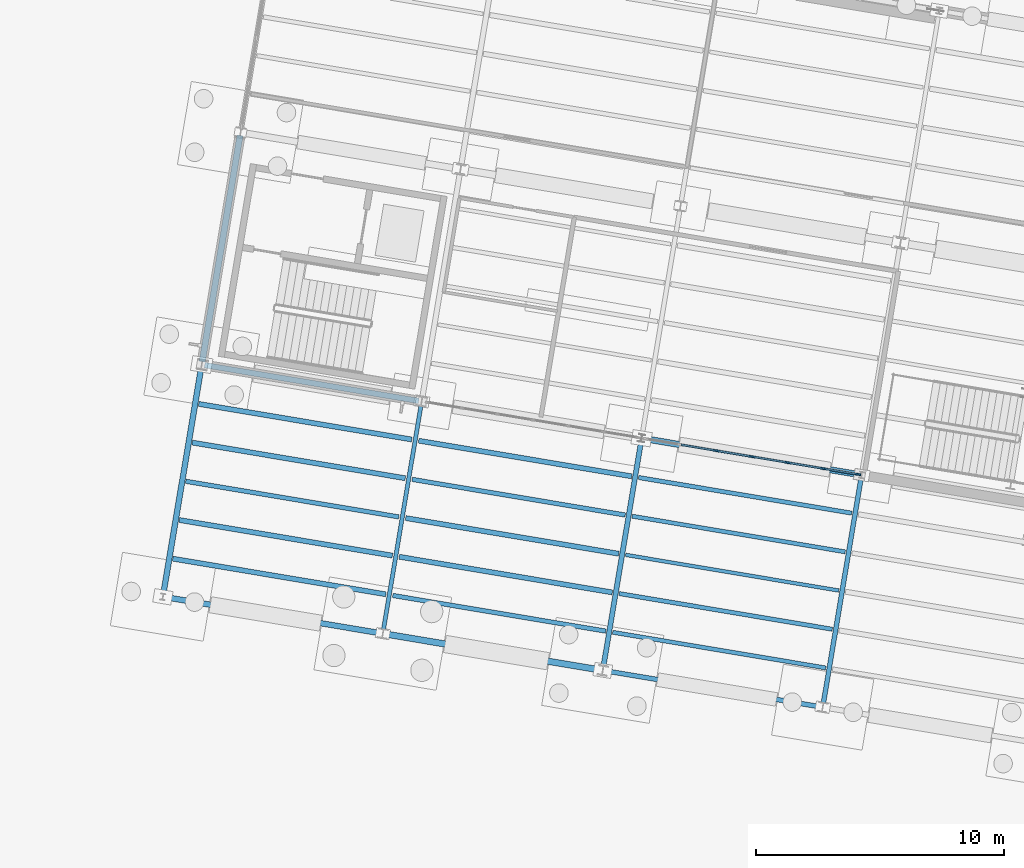
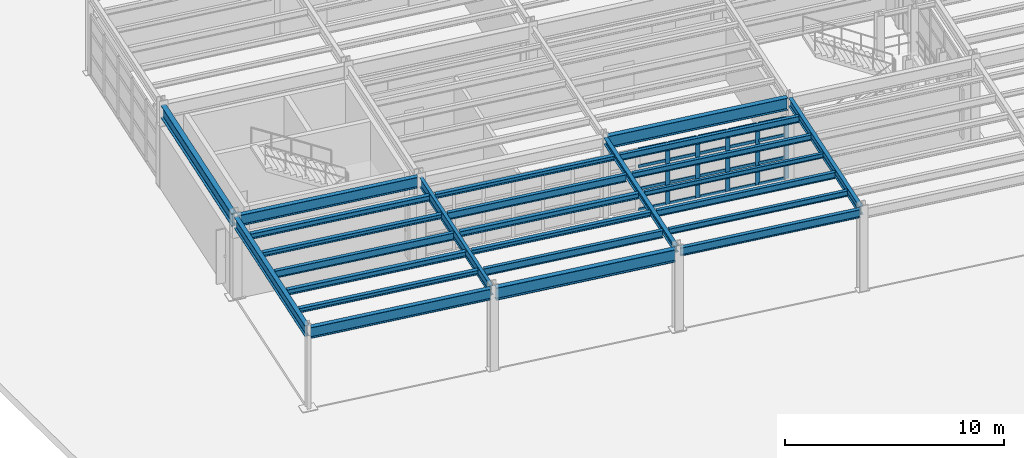
# One storey, part 42 of 108: 25 beams, 25 members, 1 element without a shape of its own.
"""IFC4 building model written with IfcOpenShell, lengths in metres."""

from ifc_helpers import new_model, si_unit, direction, frame, origin, origin_2d, place, context, subcontext, project, spatial, rectangle, i_section, extrude, material, layer, layer_set, material_profile, profile_set, type_object, element, aggregate, save


model = new_model("IFC4")

# Units and contexts
model_context = context("Model", 3, precision=1e-05, world=origin(), true_north=direction((0.0, 1.0)))
body_context = subcontext(model_context, "Body", "Model", "MODEL_VIEW")
ifc_project = project(units=[si_unit("LENGTHUNIT", "METRE"), si_unit("AREAUNIT", "SQUARE_METRE"), si_unit("VOLUMEUNIT", "CUBIC_METRE"), si_unit("PLANEANGLEUNIT", "RADIAN"), si_unit("MASSUNIT", "GRAM", prefix="KILO")], contexts=[model_context])

# Site, building, storey
site_placement = place(None, origin())
site = spatial("IfcSite", under=ifc_project, at=site_placement, CompositionType="ELEMENT")
building_placement = place(site_placement, origin())
building = spatial("IfcBuilding", under=site, at=building_placement, Name="Vireo Bluff Cable Station", CompositionType="ELEMENT")
storey_placement = place(building_placement, origin())
storey = spatial("IfcBuildingStorey", under=building, at=storey_placement, Name="L00", CompositionType="ELEMENT", Elevation=0.0)

# Beams
ifc_material_1 = material(Name="Steel ASTM A992 Gr. 50", Category="steel")
ifc_material_profile_1 = material_profile(ifc_material_1, i_section(OverallWidth=0.2041015625, OverallDepth=0.35009765625, WebThickness=0.008544921875, FlangeThickness=0.01513671875, FilletRadius=0.010009765625, at=origin_2d()), Name="W14X48")
ifc_profile_set_1 = profile_set([ifc_material_profile_1], Name="Steel ASTM A992 Gr. 50")
beam_type_1 = type_object("IfcBeamType", Name="BM-W14X48", PredefinedType="BEAM", material=ifc_profile_set_1)
beam_1_placement = place(storey_placement, frame((23.27294921875, 68.6474609375, 4.364990234375), z_axis=(0.165044536891, 0.986286115102, 0.0), x_axis=(-0.986286115102, 0.165044536891, 0.0)))
element("IfcBeam", 1, at=beam_1_placement, inside=storey, type_object=beam_type_1, Name="V4 L00 beam 792", PredefinedType="BEAM", context=body_context, shape_type="SweptSolid", body=[
    extrude(i_section(OverallWidth=0.2041015625, OverallDepth=0.35009765625, WebThickness=0.008544921875, FlangeThickness=0.01513671875, FilletRadius=0.010009765625, at=origin_2d()), origin(), (0.0, 0.0, 1.0), 9.260009765625),
])
ifc_material_profile_2 = material_profile(ifc_material_1, i_section(OverallWidth=0.19091796875, OverallDepth=0.45703125, WebThickness=0.009033203125, FlangeThickness=0.014404296875, FilletRadius=0.011962890625, at=origin_2d()), Name="W18X50")
ifc_profile_set_2 = profile_set([ifc_material_profile_2], Name="Steel ASTM A992 Gr. 50")
beam_type_2 = type_object("IfcBeamType", Name="BM-W18X50", PredefinedType="BEAM", material=ifc_profile_set_2)
beam_2_placement = place(storey_placement, frame((32.1494140625, 67.162109375, 4.3115234375), z_axis=(0.165070183492, 0.986281823072, 0.0), x_axis=(-0.986281823072, 0.165070183492, 0.0)))
element("IfcBeam", 2, at=beam_2_placement, inside=storey, type_object=beam_type_2, Name="V4 L00 beam 795", PredefinedType="BEAM", context=body_context, shape_type="SweptSolid", body=[
    extrude(i_section(OverallWidth=0.19091796875, OverallDepth=0.45703125, WebThickness=0.009033203125, FlangeThickness=0.014404296875, FilletRadius=0.011962890625, at=origin_2d()), origin(), (0.0, 0.0, 1.0), 9.260009765625),
])
ifc_material_profile_3 = material_profile(ifc_material_1, i_section(OverallWidth=0.166015625, OverallDepth=0.528076171875, WebThickness=0.009765625, FlangeThickness=0.013671875, FilletRadius=0.012939453125, at=origin_2d()), Name="W21X50")
ifc_profile_set_3 = profile_set([ifc_material_profile_3], Name="Steel ASTM A992 Gr. 50")
beam_type_3 = type_object("IfcBeamType", Name="BM-W21X50", PredefinedType="BEAM", material=ifc_profile_set_3)
beam_3_placement = place(storey_placement, frame((14.396484375, 70.1328125, 4.27587890625), z_axis=(0.165044536891, 0.986286115102, 0.0), x_axis=(-0.986286115102, 0.165044536891, 0.0)))
element("IfcBeam", 3, at=beam_3_placement, inside=storey, type_object=beam_type_3, Name="V4 L00 beam 789", PredefinedType="BEAM", context=body_context, shape_type="SweptSolid", body=[
    extrude(i_section(OverallWidth=0.166015625, OverallDepth=0.528076171875, WebThickness=0.009765625, FlangeThickness=0.013671875, FilletRadius=0.012939453125, at=origin_2d()), origin(), (0.0, 0.0, 1.0), 9.260009765625),
])

# Curtain wall, members
ifc_material_2 = material(Name="Anodized Aluminium 6063-T6", Category="aluminium")
ifc_layer = layer(ifc_material_2, 0.179931640625, Name="Anodized Aluminium 6063-T6")
ifc_layer_set = layer_set([ifc_layer], Name="Anodized Aluminium 6063-T6")
curtain_wall_type = type_object("IfcCurtainWallType", Name="CW-UNIT-1400", PredefinedType="USERDEFINED", material=ifc_layer_set)
curtain_wall_placement = place(storey_placement, origin())
curtain_wall = element("IfcCurtainWall", 4, at=curtain_wall_placement, inside=storey, type_object=curtain_wall_type, Name="V4 L00 south curtain wall CW-081", ObjectType="UNITISED CURTAIN WALL", PredefinedType="USERDEFINED")
ifc_material_profile_4 = material_profile(ifc_material_2, rectangle(XDim=0.074951171875, YDim=0.2099609375, at=origin_2d()), Name="ALU-M-75X210")
ifc_profile_set_4 = profile_set([ifc_material_profile_4], Name="Anodized Aluminium 6063-T6")
member_type_1 = type_object("IfcMemberType", Name="CWM-02", PredefinedType="MULLION", material=ifc_profile_set_4)
member_1_placement = place(storey_placement, frame((33.55810546875, 76.436767578125, 0.0), z_axis=(0.0, 0.0, 1.0), x_axis=(-0.165047563411, -0.986285608641, 0.0)))
member_1 = element("IfcMember", 5, at=member_1_placement, type_object=member_type_1, Name="CW-081 mullion 1", PredefinedType="MULLION", context=body_context, shape_type="SweptSolid", body=[
    extrude(rectangle(XDim=0.074951171875, YDim=0.2099609375, at=origin_2d()), origin(), (0.0, 0.0, 1.0), 3.39990234375),
])
member_2_placement = place(storey_placement, frame((32.154052734375, 76.671875, 0.0), z_axis=(0.0, 0.0, 1.0), x_axis=(-0.165047563411, -0.986285608641, 0.0)))
member_2 = element("IfcMember", 6, at=member_2_placement, type_object=member_type_1, Name="CW-081 mullion 2", PredefinedType="MULLION", context=body_context, shape_type="SweptSolid", body=[
    extrude(rectangle(XDim=0.074951171875, YDim=0.2099609375, at=origin_2d()), origin(), (0.0, 0.0, 1.0), 3.39990234375),
])
member_3_placement = place(storey_placement, frame((30.712890625, 76.912841796875, 0.0), z_axis=(0.0, 0.0, 1.0), x_axis=(-0.165047563411, -0.986285608641, 0.0)))
member_3 = element("IfcMember", 7, at=member_3_placement, type_object=member_type_1, Name="CW-081 mullion 3", PredefinedType="MULLION", context=body_context, shape_type="SweptSolid", body=[
    extrude(rectangle(XDim=0.074951171875, YDim=0.2099609375, at=origin_2d()), origin(), (0.0, 0.0, 1.0), 3.39990234375),
])
member_4_placement = place(storey_placement, frame((29.271728515625, 77.154052734375, 0.0), z_axis=(0.0, 0.0, 1.0), x_axis=(-0.165047563411, -0.986285608641, 0.0)))
member_4 = element("IfcMember", 8, at=member_4_placement, type_object=member_type_1, Name="CW-081 mullion 4", PredefinedType="MULLION", context=body_context, shape_type="SweptSolid", body=[
    extrude(rectangle(XDim=0.074951171875, YDim=0.2099609375, at=origin_2d()), origin(), (0.0, 0.0, 1.0), 3.39990234375),
])
member_5_placement = place(storey_placement, frame((27.83056640625, 77.395263671875, 0.0), z_axis=(0.0, 0.0, 1.0), x_axis=(-0.165047563411, -0.986285608641, 0.0)))
member_5 = element("IfcMember", 9, at=member_5_placement, type_object=member_type_1, Name="CW-081 mullion 5", PredefinedType="MULLION", context=body_context, shape_type="SweptSolid", body=[
    extrude(rectangle(XDim=0.074951171875, YDim=0.2099609375, at=origin_2d()), origin(), (0.0, 0.0, 1.0), 3.39990234375),
])
ifc_material_profile_5 = material_profile(ifc_material_2, rectangle(XDim=0.074951171875, YDim=0.159912109375, at=origin_2d()), Name="ALU-T-75X160")
ifc_profile_set_5 = profile_set([ifc_material_profile_5], Name="Anodized Aluminium 6063-T6")
member_type_2 = type_object("IfcMemberType", Name="CWT-02", PredefinedType="USERDEFINED", material=ifc_profile_set_5)
member_6_placement = place(storey_placement, frame((33.521240234375, 76.44287109375, 0.03759765625), z_axis=(-0.986281177913, 0.165074038219, 0.0), x_axis=(-0.165074038219, -0.986281177913, 0.0)))
member_6 = element("IfcMember", 10, at=member_6_placement, type_object=member_type_2, Name="CW-081 transom 1.1", ObjectType="TRANSOM", PredefinedType="USERDEFINED", context=body_context, shape_type="SweptSolid", body=[
    extrude(rectangle(XDim=0.074951171875, YDim=0.159912109375, at=origin_2d()), origin(), (0.0, 0.0, 1.0), 1.348876953125),
])
member_7_placement = place(storey_placement, frame((33.521240234375, 76.44287109375, 1.18994140625), z_axis=(-0.986281177913, 0.165074038219, 0.0), x_axis=(-0.165074038219, -0.986281177913, 0.0)))
member_7 = element("IfcMember", 11, at=member_7_placement, type_object=member_type_2, Name="CW-081 transom 1.2", ObjectType="TRANSOM", PredefinedType="USERDEFINED", context=body_context, shape_type="SweptSolid", body=[
    extrude(rectangle(XDim=0.074951171875, YDim=0.159912109375, at=origin_2d()), origin(), (0.0, 0.0, 1.0), 1.348876953125),
])
member_8_placement = place(storey_placement, frame((33.521240234375, 76.44287109375, 2.447998046875), z_axis=(-0.986281177913, 0.165074038219, 0.0), x_axis=(-0.165074038219, -0.986281177913, 0.0)))
member_8 = element("IfcMember", 12, at=member_8_placement, type_object=member_type_2, Name="CW-081 transom 1.3", ObjectType="TRANSOM", PredefinedType="USERDEFINED", context=body_context, shape_type="SweptSolid", body=[
    extrude(rectangle(XDim=0.074951171875, YDim=0.159912109375, at=origin_2d()), origin(), (0.0, 0.0, 1.0), 1.348876953125),
])
member_9_placement = place(storey_placement, frame((33.521240234375, 76.44287109375, 3.362548828125), z_axis=(-0.986281177913, 0.165074038219, 0.0), x_axis=(-0.165074038219, -0.986281177913, 0.0)))
member_9 = element("IfcMember", 13, at=member_9_placement, type_object=member_type_2, Name="CW-081 transom 1.4", ObjectType="TRANSOM", PredefinedType="USERDEFINED", context=body_context, shape_type="SweptSolid", body=[
    extrude(rectangle(XDim=0.074951171875, YDim=0.159912109375, at=origin_2d()), origin(), (0.0, 0.0, 1.0), 1.348876953125),
])
member_10_placement = place(storey_placement, frame((32.116943359375, 76.677978515625, 0.03759765625), z_axis=(-0.986289001904, 0.165027284783, 0.0), x_axis=(-0.165027284783, -0.986289001904, 0.0)))
member_10 = element("IfcMember", 14, at=member_10_placement, type_object=member_type_2, Name="CW-081 transom 2.1", ObjectType="TRANSOM", PredefinedType="USERDEFINED", context=body_context, shape_type="SweptSolid", body=[
    extrude(rectangle(XDim=0.074951171875, YDim=0.159912109375, at=origin_2d()), origin(), (0.0, 0.0, 1.0), 1.38623046875),
])
member_11_placement = place(storey_placement, frame((32.116943359375, 76.677978515625, 1.18994140625), z_axis=(-0.986289001904, 0.165027284783, 0.0), x_axis=(-0.165027284783, -0.986289001904, 0.0)))
member_11 = element("IfcMember", 15, at=member_11_placement, type_object=member_type_2, Name="CW-081 transom 2.2", ObjectType="TRANSOM", PredefinedType="USERDEFINED", context=body_context, shape_type="SweptSolid", body=[
    extrude(rectangle(XDim=0.074951171875, YDim=0.159912109375, at=origin_2d()), origin(), (0.0, 0.0, 1.0), 1.38623046875),
])
member_12_placement = place(storey_placement, frame((32.116943359375, 76.677978515625, 2.447998046875), z_axis=(-0.986289001904, 0.165027284783, 0.0), x_axis=(-0.165027284783, -0.986289001904, 0.0)))
member_12 = element("IfcMember", 16, at=member_12_placement, type_object=member_type_2, Name="CW-081 transom 2.3", ObjectType="TRANSOM", PredefinedType="USERDEFINED", context=body_context, shape_type="SweptSolid", body=[
    extrude(rectangle(XDim=0.074951171875, YDim=0.159912109375, at=origin_2d()), origin(), (0.0, 0.0, 1.0), 1.38623046875),
])
member_13_placement = place(storey_placement, frame((32.116943359375, 76.677978515625, 3.362548828125), z_axis=(-0.986289001904, 0.165027284783, 0.0), x_axis=(-0.165027284783, -0.986289001904, 0.0)))
member_13 = element("IfcMember", 17, at=member_13_placement, type_object=member_type_2, Name="CW-081 transom 2.4", ObjectType="TRANSOM", PredefinedType="USERDEFINED", context=body_context, shape_type="SweptSolid", body=[
    extrude(rectangle(XDim=0.074951171875, YDim=0.159912109375, at=origin_2d()), origin(), (0.0, 0.0, 1.0), 1.38623046875),
])
member_14_placement = place(storey_placement, frame((30.67578125, 76.919189453125, 0.03759765625), z_axis=(-0.986289001904, 0.165027284783, 0.0), x_axis=(-0.165027284783, -0.986289001904, 0.0)))
member_14 = element("IfcMember", 18, at=member_14_placement, type_object=member_type_2, Name="CW-081 transom 3.1", ObjectType="TRANSOM", PredefinedType="USERDEFINED", context=body_context, shape_type="SweptSolid", body=[
    extrude(rectangle(XDim=0.074951171875, YDim=0.159912109375, at=origin_2d()), origin(), (0.0, 0.0, 1.0), 1.38623046875),
])
member_15_placement = place(storey_placement, frame((30.67578125, 76.919189453125, 1.18994140625), z_axis=(-0.986289001904, 0.165027284783, 0.0), x_axis=(-0.165027284783, -0.986289001904, 0.0)))
member_15 = element("IfcMember", 19, at=member_15_placement, type_object=member_type_2, Name="CW-081 transom 3.2", ObjectType="TRANSOM", PredefinedType="USERDEFINED", context=body_context, shape_type="SweptSolid", body=[
    extrude(rectangle(XDim=0.074951171875, YDim=0.159912109375, at=origin_2d()), origin(), (0.0, 0.0, 1.0), 1.38623046875),
])
member_16_placement = place(storey_placement, frame((30.67578125, 76.919189453125, 2.447998046875), z_axis=(-0.986289001904, 0.165027284783, 0.0), x_axis=(-0.165027284783, -0.986289001904, 0.0)))
member_16 = element("IfcMember", 20, at=member_16_placement, type_object=member_type_2, Name="CW-081 transom 3.3", ObjectType="TRANSOM", PredefinedType="USERDEFINED", context=body_context, shape_type="SweptSolid", body=[
    extrude(rectangle(XDim=0.074951171875, YDim=0.159912109375, at=origin_2d()), origin(), (0.0, 0.0, 1.0), 1.38623046875),
])
member_17_placement = place(storey_placement, frame((30.67578125, 76.919189453125, 3.362548828125), z_axis=(-0.986289001904, 0.165027284783, 0.0), x_axis=(-0.165027284783, -0.986289001904, 0.0)))
member_17 = element("IfcMember", 21, at=member_17_placement, type_object=member_type_2, Name="CW-081 transom 3.4", ObjectType="TRANSOM", PredefinedType="USERDEFINED", context=body_context, shape_type="SweptSolid", body=[
    extrude(rectangle(XDim=0.074951171875, YDim=0.159912109375, at=origin_2d()), origin(), (0.0, 0.0, 1.0), 1.38623046875),
])
member_18_placement = place(storey_placement, frame((29.234619140625, 77.16015625, 0.03759765625), z_axis=(-0.986255513651, 0.165227303412, 0.0), x_axis=(-0.165227303412, -0.986255513651, 0.0)))
member_18 = element("IfcMember", 22, at=member_18_placement, type_object=member_type_2, Name="CW-081 transom 4.1", ObjectType="TRANSOM", PredefinedType="USERDEFINED", context=body_context, shape_type="SweptSolid", body=[
    extrude(rectangle(XDim=0.074951171875, YDim=0.159912109375, at=origin_2d()), origin(), (0.0, 0.0, 1.0), 1.385986328125),
])
member_19_placement = place(storey_placement, frame((29.234619140625, 77.16015625, 1.18994140625), z_axis=(-0.986255513651, 0.165227303412, 0.0), x_axis=(-0.165227303412, -0.986255513651, 0.0)))
member_19 = element("IfcMember", 23, at=member_19_placement, type_object=member_type_2, Name="CW-081 transom 4.2", ObjectType="TRANSOM", PredefinedType="USERDEFINED", context=body_context, shape_type="SweptSolid", body=[
    extrude(rectangle(XDim=0.074951171875, YDim=0.159912109375, at=origin_2d()), origin(), (0.0, 0.0, 1.0), 1.385986328125),
])
member_20_placement = place(storey_placement, frame((29.234619140625, 77.16015625, 2.447998046875), z_axis=(-0.986255513651, 0.165227303412, 0.0), x_axis=(-0.165227303412, -0.986255513651, 0.0)))
member_20 = element("IfcMember", 24, at=member_20_placement, type_object=member_type_2, Name="CW-081 transom 4.3", ObjectType="TRANSOM", PredefinedType="USERDEFINED", context=body_context, shape_type="SweptSolid", body=[
    extrude(rectangle(XDim=0.074951171875, YDim=0.159912109375, at=origin_2d()), origin(), (0.0, 0.0, 1.0), 1.385986328125),
])
member_21_placement = place(storey_placement, frame((29.234619140625, 77.16015625, 3.362548828125), z_axis=(-0.986255513651, 0.165227303412, 0.0), x_axis=(-0.165227303412, -0.986255513651, 0.0)))
member_21 = element("IfcMember", 25, at=member_21_placement, type_object=member_type_2, Name="CW-081 transom 4.4", ObjectType="TRANSOM", PredefinedType="USERDEFINED", context=body_context, shape_type="SweptSolid", body=[
    extrude(rectangle(XDim=0.074951171875, YDim=0.159912109375, at=origin_2d()), origin(), (0.0, 0.0, 1.0), 1.385986328125),
])
member_22_placement = place(storey_placement, frame((27.793701171875, 77.4013671875, 0.03759765625), z_axis=(-0.986289001904, 0.165027284783, 0.0), x_axis=(-0.165027284783, -0.986289001904, 0.0)))
member_22 = element("IfcMember", 26, at=member_22_placement, type_object=member_type_2, Name="CW-081 transom 5.1", ObjectType="TRANSOM", PredefinedType="USERDEFINED", context=body_context, shape_type="SweptSolid", body=[
    extrude(rectangle(XDim=0.074951171875, YDim=0.159912109375, at=origin_2d()), origin(), (0.0, 0.0, 1.0), 1.38623046875),
])
member_23_placement = place(storey_placement, frame((27.793701171875, 77.4013671875, 1.18994140625), z_axis=(-0.986289001904, 0.165027284783, 0.0), x_axis=(-0.165027284783, -0.986289001904, 0.0)))
member_23 = element("IfcMember", 27, at=member_23_placement, type_object=member_type_2, Name="CW-081 transom 5.2", ObjectType="TRANSOM", PredefinedType="USERDEFINED", context=body_context, shape_type="SweptSolid", body=[
    extrude(rectangle(XDim=0.074951171875, YDim=0.159912109375, at=origin_2d()), origin(), (0.0, 0.0, 1.0), 1.38623046875),
])
member_24_placement = place(storey_placement, frame((27.793701171875, 77.4013671875, 2.447998046875), z_axis=(-0.986289001904, 0.165027284783, 0.0), x_axis=(-0.165027284783, -0.986289001904, 0.0)))
member_24 = element("IfcMember", 28, at=member_24_placement, type_object=member_type_2, Name="CW-081 transom 5.3", ObjectType="TRANSOM", PredefinedType="USERDEFINED", context=body_context, shape_type="SweptSolid", body=[
    extrude(rectangle(XDim=0.074951171875, YDim=0.159912109375, at=origin_2d()), origin(), (0.0, 0.0, 1.0), 1.38623046875),
])
member_25_placement = place(storey_placement, frame((27.793701171875, 77.4013671875, 3.362548828125), z_axis=(-0.986289001904, 0.165027284783, 0.0), x_axis=(-0.165027284783, -0.986289001904, 0.0)))
member_25 = element("IfcMember", 29, at=member_25_placement, type_object=member_type_2, Name="CW-081 transom 5.4", ObjectType="TRANSOM", PredefinedType="USERDEFINED", context=body_context, shape_type="SweptSolid", body=[
    extrude(rectangle(XDim=0.074951171875, YDim=0.159912109375, at=origin_2d()), origin(), (0.0, 0.0, 1.0), 1.38623046875),
])
aggregate(curtain_wall, [member_1, member_2, member_3, member_4, member_5, member_6, member_7, member_8, member_9, member_10, member_11, member_12, member_13, member_14, member_15, member_16, member_17, member_18, member_19, member_20, member_21, member_22, member_23, member_24, member_25])

# Beams
ifc_material_profile_6 = material_profile(ifc_material_1, i_section(OverallWidth=0.22802734375, OverallDepth=0.60693359375, WebThickness=0.01123046875, FlangeThickness=0.017333984375, FilletRadius=0.012939453125, at=origin_2d()), Name="W24X76")
ifc_profile_set_6 = profile_set([ifc_material_profile_6], Name="Steel ASTM A992 Gr. 50")
beam_type_4 = type_object("IfcBeamType", Name="GIR-W24X76", PredefinedType="USERDEFINED", material=ifc_profile_set_6)
beam_4_placement = place(storey_placement, frame((7.186279296875, 80.849853515625, 4.236572265625), z_axis=(0.986285998922, -0.165045231163, 0.0), x_axis=(0.165045231163, 0.986285998922, 0.0)))
element("IfcBeam", 30, at=beam_4_placement, inside=storey, type_object=beam_type_4, Name="V4 L00 girder 771", ObjectType="GIRDER", PredefinedType="USERDEFINED", context=body_context, shape_type="SweptSolid", body=[
    extrude(i_section(OverallWidth=0.22802734375, OverallDepth=0.60693359375, WebThickness=0.01123046875, FlangeThickness=0.017333984375, FilletRadius=0.012939453125, at=origin_2d()), origin(), (0.0, 0.0, 1.0), 8.760009765625),
])
ifc_material_profile_7 = material_profile(ifc_material_1, i_section(OverallWidth=0.2529296875, OverallDepth=0.677978515625, WebThickness=0.01171875, FlangeThickness=0.016357421875, FilletRadius=0.014892578125, at=origin_2d()), Name="W27X84")
ifc_profile_set_7 = profile_set([ifc_material_profile_7], Name="Steel ASTM A992 Gr. 50")
beam_type_5 = type_object("IfcBeamType", Name="GIR-W27X84", PredefinedType="USERDEFINED", material=ifc_profile_set_7)
beam_5_placement = place(storey_placement, frame((24.939453125, 77.879150390625, 4.200927734375), z_axis=(0.986285998922, -0.165045231163, 0.0), x_axis=(0.165045231163, 0.986285998922, 0.0)))
element("IfcBeam", 31, at=beam_5_placement, inside=storey, type_object=beam_type_5, Name="V4 L00 girder 773", ObjectType="GIRDER", PredefinedType="USERDEFINED", context=body_context, shape_type="SweptSolid", body=[
    extrude(i_section(OverallWidth=0.2529296875, OverallDepth=0.677978515625, WebThickness=0.01171875, FlangeThickness=0.016357421875, FilletRadius=0.014892578125, at=origin_2d()), origin(), (0.0, 0.0, 1.0), 8.760009765625),
])
ifc_material_profile_8 = material_profile(ifc_material_1, i_section(OverallWidth=0.14599609375, OverallDepth=0.259033203125, WebThickness=0.006103515625, FlangeThickness=0.009033203125, FilletRadius=0.009033203125, at=origin_2d()), Name="W10X22")
ifc_profile_set_8 = profile_set([ifc_material_profile_8], Name="Steel ASTM A992 Gr. 50")
beam_type_6 = type_object("IfcBeamType", Name="JST-W10X22", PredefinedType="JOIST", material=ifc_profile_set_8)
beam_6_placement = place(storey_placement, frame((24.17529296875, 73.19091796875, 4.410400390625), z_axis=(0.98628550168, -0.165048202583, 0.0), x_axis=(0.165048202583, 0.98628550168, 0.0)))
element("IfcBeam", 32, at=beam_6_placement, inside=storey, type_object=beam_type_6, Name="V4 L00 composite joist 831", PredefinedType="JOIST", context=body_context, shape_type="SweptSolid", body=[
    extrude(i_section(OverallWidth=0.14599609375, OverallDepth=0.259033203125, WebThickness=0.006103515625, FlangeThickness=0.009033203125, FilletRadius=0.009033203125, at=origin_2d()), origin(), (0.0, 0.0, 1.0), 8.719970703125),
])
ifc_material_profile_9 = material_profile(ifc_material_1, i_section(OverallWidth=0.201904296875, OverallDepth=0.2470703125, WebThickness=0.00732421875, FlangeThickness=0.010986328125, FilletRadius=0.009033203125, at=origin_2d()), Name="W10X33")
ifc_profile_set_9 = profile_set([ifc_material_profile_9], Name="Steel ASTM A992 Gr. 50")
beam_type_7 = type_object("IfcBeamType", Name="JST-W10X33", PredefinedType="JOIST", material=ifc_profile_set_9)
for number, where, z_axis, x_axis, name in (
    (33, (5.8994140625, 73.03857421875, 4.41650390625), (0.98628550168, -0.165048202583, 0.0), (0.165048202583, 0.98628550168, 0.0), "V4 L00 composite joist 804"),
    (34, (6.683349609375, 77.723388671875, 4.41650390625), (0.98628550168, -0.165048202583, 0.0), (0.165048202583, 0.98628550168, 0.0), "V4 L00 composite joist 807"),
    (35, (15.037353515625, 73.11474609375, 4.41650390625), (0.98628550168, -0.165048202583, 0.0), (0.165048202583, 0.98628550168, 0.0), "V4 L00 composite joist 815"),
    (36, (15.8212890625, 77.799560546875, 4.41650390625), (0.98628550168, -0.165048202583, 0.0), (0.165048202583, 0.98628550168, 0.0), "V4 L00 composite joist 818"),
):
    element("IfcBeam", number, at=place(storey_placement, frame(where, z_axis=z_axis, x_axis=x_axis)), inside=storey, type_object=beam_type_7, Name=name, PredefinedType="JOIST", context=body_context, shape_type="SweptSolid", body=[
        extrude(i_section(OverallWidth=0.201904296875, OverallDepth=0.2470703125, WebThickness=0.00732421875, FlangeThickness=0.010986328125, FilletRadius=0.009033203125, at=origin_2d()), origin(), (0.0, 0.0, 1.0), 8.719970703125),
    ])
ifc_material_profile_10 = material_profile(ifc_material_1, i_section(OverallWidth=0.1650390625, OverallDepth=0.31005859375, WebThickness=0.005859375, FlangeThickness=0.009765625, FilletRadius=0.010009765625, at=origin_2d()), Name="W12X26")
ifc_profile_set_10 = profile_set([ifc_material_profile_10], Name="Steel ASTM A992 Gr. 50")
beam_type_8 = type_object("IfcBeamType", Name="JST-W12X26", PredefinedType="JOIST", material=ifc_profile_set_10)
for number, where, z_axis, x_axis, name in (
    (37, (23.652587890625, 70.067626953125, 4.385009765625), (0.98628550168, -0.165048202583, 0.0), (0.165048202583, 0.98628550168, 0.0), "V4 L00 composite joist 829"),
    (38, (24.4365234375, 74.75244140625, 4.385009765625), (0.98628550168, -0.165048202583, 0.0), (0.165048202583, 0.98628550168, 0.0), "V4 L00 composite joist 832"),
):
    element("IfcBeam", number, at=place(storey_placement, frame(where, z_axis=z_axis, x_axis=x_axis)), inside=storey, type_object=beam_type_8, Name=name, PredefinedType="JOIST", context=body_context, shape_type="SweptSolid", body=[
        extrude(i_section(OverallWidth=0.1650390625, OverallDepth=0.31005859375, WebThickness=0.005859375, FlangeThickness=0.009765625, FilletRadius=0.010009765625, at=origin_2d()), origin(), (0.0, 0.0, 1.0), 8.719970703125),
    ])
ifc_material_profile_11 = material_profile(ifc_material_1, i_section(OverallWidth=0.202880859375, OverallDepth=0.302978515625, WebThickness=0.007568359375, FlangeThickness=0.01318359375, FilletRadius=0.010009765625, at=origin_2d()), Name="W12X40")
ifc_profile_set_11 = profile_set([ifc_material_profile_11], Name="Steel ASTM A992 Gr. 50")
beam_type_9 = type_object("IfcBeamType", Name="JST-W12X40", PredefinedType="JOIST", material=ifc_profile_set_11)
beam_7_placement = place(storey_placement, frame((6.16064453125, 74.60009765625, 4.388427734375), z_axis=(0.986286264339, -0.165043645063, 0.0), x_axis=(0.165043645063, 0.986286264339, 0.0)))
element("IfcBeam", 39, at=beam_7_placement, inside=storey, type_object=beam_type_9, Name="V4 L00 composite joist 805", PredefinedType="JOIST", context=body_context, shape_type="SweptSolid", body=[
    extrude(i_section(OverallWidth=0.202880859375, OverallDepth=0.302978515625, WebThickness=0.007568359375, FlangeThickness=0.01318359375, FilletRadius=0.010009765625, at=origin_2d()), origin(), (0.0, 0.0, 1.0), 8.72021484375),
])
for number, where, z_axis, x_axis, name in (
    (40, (6.94482421875, 79.284912109375, 4.388427734375), (0.98628550168, -0.165048202583, 0.0), (0.165048202583, 0.98628550168, 0.0), "V4 L00 composite joist 808"),
    (41, (15.298583984375, 74.67626953125, 4.388427734375), (0.98628550168, -0.165048202583, 0.0), (0.165048202583, 0.98628550168, 0.0), "V4 L00 composite joist 816"),
):
    element("IfcBeam", number, at=place(storey_placement, frame(where, z_axis=z_axis, x_axis=x_axis)), inside=storey, type_object=beam_type_9, Name=name, PredefinedType="JOIST", context=body_context, shape_type="SweptSolid", body=[
        extrude(i_section(OverallWidth=0.202880859375, OverallDepth=0.302978515625, WebThickness=0.007568359375, FlangeThickness=0.01318359375, FilletRadius=0.010009765625, at=origin_2d()), origin(), (0.0, 0.0, 1.0), 8.719970703125),
    ])
ifc_material_profile_12 = material_profile(ifc_material_1, i_section(OverallWidth=0.1708984375, OverallDepth=0.35107421875, WebThickness=0.0068359375, FlangeThickness=0.009765625, FilletRadius=0.010009765625, at=origin_2d()), Name="W14X30")
ifc_profile_set_12 = profile_set([ifc_material_profile_12], Name="Steel ASTM A992 Gr. 50")
beam_type_10 = type_object("IfcBeamType", Name="JST-W14X30", PredefinedType="JOIST", material=ifc_profile_set_12)
beam_8_placement = place(storey_placement, frame((23.913818359375, 71.62939453125, 4.364501953125), z_axis=(0.986280943681, -0.165075437702, 0.0), x_axis=(0.165075437702, 0.986280943681, 0.0)))
element("IfcBeam", 42, at=beam_8_placement, inside=storey, type_object=beam_type_10, Name="V4 L00 composite joist 830", PredefinedType="JOIST", context=body_context, shape_type="SweptSolid", body=[
    extrude(i_section(OverallWidth=0.1708984375, OverallDepth=0.35107421875, WebThickness=0.0068359375, FlangeThickness=0.009765625, FilletRadius=0.010009765625, at=origin_2d()), origin(), (0.0, 0.0, 1.0), 8.719970703125),
])
beam_9_placement = place(storey_placement, frame((24.69775390625, 76.314208984375, 4.364501953125), z_axis=(0.986286264339, -0.165043645063, 0.0), x_axis=(0.165043645063, 0.986286264339, 0.0)))
element("IfcBeam", 43, at=beam_9_placement, inside=storey, type_object=beam_type_10, Name="V4 L00 composite joist 833", PredefinedType="JOIST", context=body_context, shape_type="SweptSolid", body=[
    extrude(i_section(OverallWidth=0.1708984375, OverallDepth=0.35107421875, WebThickness=0.0068359375, FlangeThickness=0.009765625, FilletRadius=0.010009765625, at=origin_2d()), origin(), (0.0, 0.0, 1.0), 8.72021484375),
])
ifc_material_profile_13 = material_profile(ifc_material_1, i_section(OverallWidth=0.177978515625, OverallDepth=0.404052734375, WebThickness=0.007568359375, FlangeThickness=0.010986328125, FilletRadius=0.010009765625, at=origin_2d()), Name="W16X36")
ifc_profile_set_13 = profile_set([ifc_material_profile_13], Name="Steel ASTM A992 Gr. 50")
beam_type_11 = type_object("IfcBeamType", Name="JST-W16X36", PredefinedType="JOIST", material=ifc_profile_set_13)
beam_10_placement = place(storey_placement, frame((6.422119140625, 76.161865234375, 4.337890625), z_axis=(0.98628550168, -0.165048202583, 0.0), x_axis=(0.165048202583, 0.98628550168, 0.0)))
element("IfcBeam", 44, at=beam_10_placement, inside=storey, type_object=beam_type_11, Name="V4 L00 composite joist 806", PredefinedType="JOIST", context=body_context, shape_type="SweptSolid", body=[
    extrude(i_section(OverallWidth=0.177978515625, OverallDepth=0.404052734375, WebThickness=0.007568359375, FlangeThickness=0.010986328125, FilletRadius=0.010009765625, at=origin_2d()), origin(), (0.0, 0.0, 1.0), 8.719970703125),
])
beam_11_placement = place(storey_placement, frame((14.77587890625, 71.552978515625, 4.337890625), z_axis=(0.986286264339, -0.165043645063, 0.0), x_axis=(0.165043645063, 0.986286264339, 0.0)))
element("IfcBeam", 45, at=beam_11_placement, inside=storey, type_object=beam_type_11, Name="V4 L00 composite joist 814", PredefinedType="JOIST", context=body_context, shape_type="SweptSolid", body=[
    extrude(i_section(OverallWidth=0.177978515625, OverallDepth=0.404052734375, WebThickness=0.007568359375, FlangeThickness=0.010986328125, FilletRadius=0.010009765625, at=origin_2d()), origin(), (0.0, 0.0, 1.0), 8.72021484375),
])
beam_12_placement = place(storey_placement, frame((15.56005859375, 76.238037109375, 4.337890625), z_axis=(0.98628550168, -0.165048202583, 0.0), x_axis=(0.165048202583, 0.98628550168, 0.0)))
element("IfcBeam", 46, at=beam_12_placement, inside=storey, type_object=beam_type_11, Name="V4 L00 composite joist 817", PredefinedType="JOIST", context=body_context, shape_type="SweptSolid", body=[
    extrude(i_section(OverallWidth=0.177978515625, OverallDepth=0.404052734375, WebThickness=0.007568359375, FlangeThickness=0.010986328125, FilletRadius=0.010009765625, at=origin_2d()), origin(), (0.0, 0.0, 1.0), 8.719970703125),
])
ifc_material_profile_14 = material_profile(ifc_material_1, i_section(OverallWidth=0.19091796875, OverallDepth=0.45703125, WebThickness=0.009033203125, FlangeThickness=0.014404296875, FilletRadius=0.011962890625, at=origin_2d()), Name="W18X50")
ifc_profile_set_14 = profile_set([ifc_material_profile_14], Name="Steel ASTM A992 Gr. 50")
beam_type_12 = type_object("IfcBeamType", Name="SPN-W18X50", PredefinedType="SPANDREL", material=ifc_profile_set_14)
beam_13_placement = place(storey_placement, frame((23.37158203125, 68.50927734375, 4.3115234375), z_axis=(0.986285998922, -0.165045231163, 0.0), x_axis=(0.165045231163, 0.986285998922, 0.0)))
element("IfcBeam", 47, at=beam_13_placement, inside=storey, type_object=beam_type_12, Name="V4 L00 spandrel 768", PredefinedType="SPANDREL", context=body_context, shape_type="SweptSolid", body=[
    extrude(i_section(OverallWidth=0.19091796875, OverallDepth=0.45703125, WebThickness=0.009033203125, FlangeThickness=0.014404296875, FilletRadius=0.011962890625, at=origin_2d()), origin(), (0.0, 0.0, 1.0), 8.760009765625),
])
ifc_material_profile_15 = material_profile(ifc_material_1, i_section(OverallWidth=0.22802734375, OverallDepth=0.60693359375, WebThickness=0.01123046875, FlangeThickness=0.017333984375, FilletRadius=0.012939453125, at=origin_2d()), Name="W24X76")
ifc_profile_set_15 = profile_set([ifc_material_profile_15], Name="Steel ASTM A992 Gr. 50")
beam_type_13 = type_object("IfcBeamType", Name="SPN-W24X76", PredefinedType="SPANDREL", material=ifc_profile_set_15)
beam_14_placement = place(storey_placement, frame((5.618408203125, 71.480224609375, 4.236572265625), z_axis=(0.986285998922, -0.165045231163, 0.0), x_axis=(0.165045231163, 0.986285998922, 0.0)))
element("IfcBeam", 48, at=beam_14_placement, inside=storey, type_object=beam_type_13, Name="V4 L00 spandrel 766", PredefinedType="SPANDREL", context=body_context, shape_type="SweptSolid", body=[
    extrude(i_section(OverallWidth=0.22802734375, OverallDepth=0.60693359375, WebThickness=0.01123046875, FlangeThickness=0.017333984375, FilletRadius=0.012939453125, at=origin_2d()), origin(), (0.0, 0.0, 1.0), 8.760009765625),
])
beam_15_placement = place(storey_placement, frame((5.519775390625, 71.618408203125, 4.236572265625), z_axis=(0.165044536891, 0.986286115102, 0.0), x_axis=(-0.986286115102, 0.165044536891, 0.0)))
element("IfcBeam", 49, at=beam_15_placement, inside=storey, type_object=beam_type_13, Name="V4 L00 spandrel 786", PredefinedType="SPANDREL", context=body_context, shape_type="SweptSolid", body=[
    extrude(i_section(OverallWidth=0.22802734375, OverallDepth=0.60693359375, WebThickness=0.01123046875, FlangeThickness=0.017333984375, FilletRadius=0.012939453125, at=origin_2d()), origin(), (0.0, 0.0, 1.0), 9.260009765625),
])
ifc_material_profile_16 = material_profile(ifc_material_1, i_section(OverallWidth=0.257080078125, OverallDepth=0.693115234375, WebThickness=0.014404296875, FlangeThickness=0.023681640625, FilletRadius=0.014892578125, at=origin_2d()), Name="W27X114")
ifc_profile_set_16 = profile_set([ifc_material_profile_16], Name="Steel ASTM A992 Gr. 50")
beam_type_14 = type_object("IfcBeamType", Name="SPN-W27X114", PredefinedType="SPANDREL", material=ifc_profile_set_16)
beam_16_placement = place(storey_placement, frame((14.494873046875, 69.994873046875, 4.193603515625), z_axis=(0.986281461867, -0.16507234165, 0.0), x_axis=(0.16507234165, 0.986281461867, 0.0)))
element("IfcBeam", 50, at=beam_16_placement, inside=storey, type_object=beam_type_14, Name="V4 L00 spandrel 767", PredefinedType="SPANDREL", context=body_context, shape_type="SweptSolid", body=[
    extrude(i_section(OverallWidth=0.257080078125, OverallDepth=0.693115234375, WebThickness=0.014404296875, FlangeThickness=0.023681640625, FilletRadius=0.014892578125, at=origin_2d()), origin(), (0.0, 0.0, 1.0), 8.760009765625),
])
beam_17_placement = place(storey_placement, frame((7.087646484375, 80.988037109375, 4.193603515625), z_axis=(0.165070183492, 0.986281823072, 0.0), x_axis=(-0.986281823072, 0.165070183492, 0.0)))
element("IfcBeam", 51, at=beam_17_placement, inside=storey, type_object=beam_type_14, Name="V4 L00 spandrel 787", PredefinedType="SPANDREL", context=body_context, shape_type="SweptSolid", body=[
    extrude(i_section(OverallWidth=0.257080078125, OverallDepth=0.693115234375, WebThickness=0.014404296875, FlangeThickness=0.023681640625, FilletRadius=0.014892578125, at=origin_2d()), origin(), (0.0, 0.0, 1.0), 9.260009765625),
])

save(model, "model.ifc")
